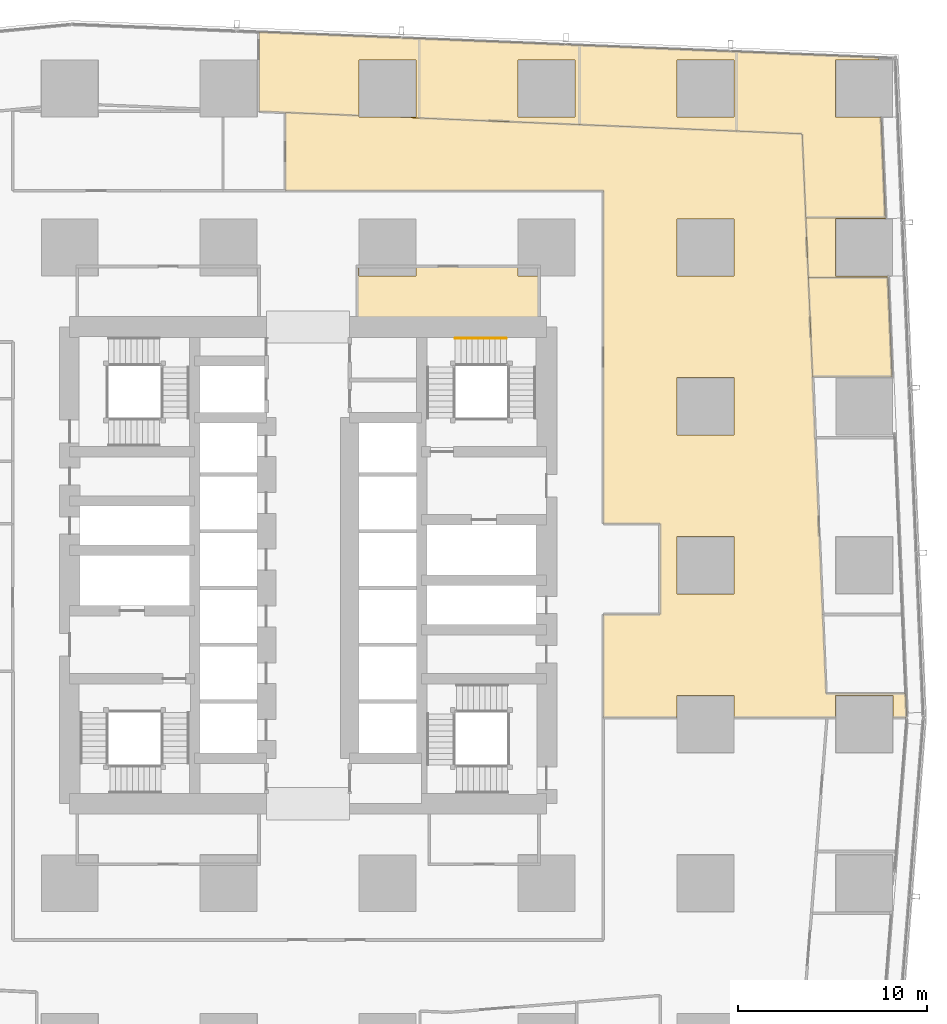
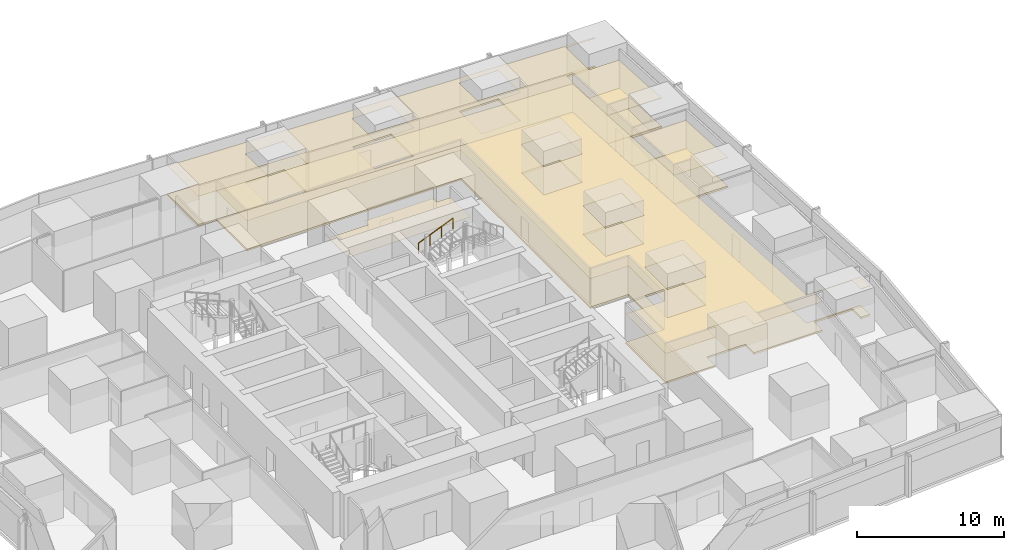
# One storey, part 44 of 44: 9 coverings, 1 railing.
"""IFC4 building model written with IfcOpenShell, lengths in metres."""

from ifc_helpers import new_model, si_unit, direction, frame, origin, origin_2d, place, context, subcontext, project, spatial, polyline, circle, outline, extrude, material, layer, layer_set, type_object, element, save


model = new_model("IFC4")

# Units and contexts
model_context = context("Model", 3, precision=1e-05, world=origin(), true_north=direction((0.0, 1.0)))
body_context = subcontext(model_context, "Body", "Model", "MODEL_VIEW")
ifc_project = project(units=[si_unit("LENGTHUNIT", "METRE"), si_unit("AREAUNIT", "SQUARE_METRE"), si_unit("VOLUMEUNIT", "CUBIC_METRE"), si_unit("PLANEANGLEUNIT", "RADIAN"), si_unit("MASSUNIT", "GRAM", prefix="KILO")], contexts=[model_context])

# Site, building, storey
site_placement = place(None, origin())
site = spatial("IfcSite", under=ifc_project, at=site_placement, CompositionType="ELEMENT")
building_placement = place(site_placement, origin())
building = spatial("IfcBuilding", under=site, at=building_placement, Name="Rekha Terrace Tower", CompositionType="ELEMENT")
storey_placement = place(building_placement, frame((0.0, 0.0, 81.64990234375)))
storey = spatial("IfcBuildingStorey", under=building, at=storey_placement, Name="L20", CompositionType="ELEMENT", Elevation=81.64990234375)

# Coverings
ifc_material_1 = material(Name="Mineral fibre tile in exposed grid", Category="finish")
ifc_layer_1 = layer(ifc_material_1, 0.02001953125)
ifc_layer_set_1 = layer_set([ifc_layer_1], Name="Mineral fibre tile in exposed grid")
covering_type_1 = type_object("IfcCoveringType", Name="CL1 600x1200 office grid ceiling", PredefinedType="CEILING", material=ifc_layer_set_1)
covering_1_placement = place(storey_placement, frame((0.0, 0.0, 2.47998046875)))
element("IfcCovering", 1, at=covering_1_placement, inside=storey, type_object=covering_type_1, Name="Ceiling L20-04", PredefinedType="CEILING", context=body_context, shape_type="SweptSolid", body=[
    extrude(outline(polyline([(68.443115234375, 48.802978515625), (64.239013671875, 48.802978515625), (64.464111328125, 43.556884765625), (68.6669921875, 43.556884765625), (68.443115234375, 48.802978515625)])), origin(), (0.0, 0.0, 1.0), 0.02001953125),
])
covering_2_placement = place(storey_placement, frame((0.0, 0.0, 2.47998046875)))
element("IfcCovering", 2, at=covering_2_placement, inside=storey, type_object=covering_type_1, Name="Ceiling L20-05", PredefinedType="CEILING", context=body_context, shape_type="SweptSolid", body=[
    extrude(outline(polyline([(68.30908203125, 51.9560546875), (64.10498046875, 51.9560546875), (64.239013671875, 48.803955078125), (68.443115234375, 48.803955078125), (68.43994140625, 48.885009765625), (65.68505859375, 48.885009765625), (65.68505859375, 51.9150390625), (68.31103515625, 51.9150390625), (68.30908203125, 51.9560546875)])), origin(), (0.0, 0.0, 1.0), 0.02001953125),
])
covering_3_placement = place(storey_placement, frame((0.0, 0.0, 2.47998046875)))
element("IfcCovering", 3, at=covering_3_placement, inside=storey, type_object=covering_type_1, Name="Ceiling L20-06", PredefinedType="CEILING", context=body_context, shape_type="SweptSolid", body=[
    extrude(outline(polyline([(52.14306640625, 61.093994140625), (43.6708984375, 61.444091796875), (35.199951171875, 61.79296875), (35.199951171875, 57.589111328125), (40.485107421875, 57.37109375), (40.485107421875, 60.31494140625), (43.514892578125, 60.31494140625), (43.514892578125, 57.284912109375), (43.235107421875, 57.284912109375), (43.235107421875, 57.258056640625), (43.674072265625, 57.239990234375), (52.14599609375, 56.89111328125), (60.43896484375, 56.549072265625), (63.9150390625, 56.406005859375), (64.10498046875, 51.95703125), (68.30908203125, 51.95703125), (68.0810546875, 57.284912109375), (65.68505859375, 57.284912109375), (65.68505859375, 60.31494140625), (67.950927734375, 60.31494140625), (67.946044921875, 60.443115234375), (60.43896484375, 60.751953125), (52.14306640625, 61.093994140625)]), holes=[polyline([(60.31494140625, 57.284912109375), (57.284912109375, 57.284912109375), (57.284912109375, 60.31494140625), (60.31494140625, 60.31494140625), (60.31494140625, 57.284912109375)]), polyline([(51.9150390625, 57.284912109375), (48.885009765625, 57.284912109375), (48.885009765625, 60.31494140625), (51.9150390625, 60.31494140625), (51.9150390625, 57.284912109375)])]), origin(), (0.0, 0.0, 1.0), 0.02001953125),
])
covering_4_placement = place(storey_placement, frame((0.0, 0.0, 2.47998046875)))
element("IfcCovering", 4, at=covering_4_placement, inside=storey, type_object=covering_type_1, Name="Ceiling L20-O1", PredefinedType="CEILING", context=body_context, shape_type="SweptSolid", body=[
    extrude(outline(polyline([(52.14404296875, 56.89111328125), (43.672119140625, 57.239990234375), (42.58203125, 57.284912109375), (40.485107421875, 57.284912109375), (40.485107421875, 57.3720703125), (36.60009765625, 57.531982421875), (36.60009765625, 53.39990234375), (53.39990234375, 53.39990234375), (53.39990234375, 35.800048828125), (56.39990234375, 35.800048828125), (56.39990234375, 31.0), (53.39990234375, 31.0), (53.39990234375, 25.552001953125), (57.284912109375, 25.552001953125), (57.284912109375, 26.715087890625), (60.31494140625, 26.715087890625), (60.31494140625, 25.552001953125), (65.68505859375, 25.552001953125), (65.68505859375, 26.715087890625), (68.715087890625, 26.715087890625), (68.715087890625, 25.552001953125), (69.43701171875, 25.552001953125), (69.382080078125, 26.821044921875), (65.178955078125, 26.821044921875), (64.9990234375, 31.01708984375), (64.60009765625, 40.35205078125), (64.462890625, 43.572021484375), (64.238037109375, 48.819091796875), (64.10400390625, 51.971923828125), (63.9150390625, 56.406005859375), (60.43701171875, 56.549072265625), (52.14404296875, 56.89111328125)]), holes=[polyline([(60.31494140625, 32.0849609375), (57.284912109375, 32.0849609375), (57.284912109375, 35.114990234375), (60.31494140625, 35.114990234375), (60.31494140625, 32.0849609375)]), polyline([(60.31494140625, 40.485107421875), (57.284912109375, 40.485107421875), (57.284912109375, 43.514892578125), (60.31494140625, 43.514892578125), (60.31494140625, 40.485107421875)]), polyline([(60.31494140625, 48.885009765625), (57.284912109375, 48.885009765625), (57.284912109375, 51.9150390625), (60.31494140625, 51.9150390625), (60.31494140625, 48.885009765625)])]), origin(), (0.0, 0.0, 1.0), 0.02001953125),
])
ifc_material_2 = material(Name="Fibre cement board", Category="finish")
ifc_layer_2 = layer(ifc_material_2, 0.014892578125)
ifc_layer_set_2 = layer_set([ifc_layer_2], Name="Fibre cement board")
covering_type_2 = type_object("IfcCoveringType", Name="CL2 moisture-resistant board ceiling", PredefinedType="CEILING", material=ifc_layer_set_2)
covering_5_placement = place(storey_placement, frame((0.0, 0.0, 2.485107421875)))
element("IfcCovering", 5, at=covering_5_placement, inside=storey, type_object=covering_type_2, Name="Ceiling L20-WCF", PredefinedType="CEILING", context=body_context, shape_type="SweptSolid", body=[
    extrude(outline(polyline([(40.485107421875, 49.39990234375), (40.39990234375, 49.39990234375), (40.39990234375, 46.199951171875), (50.0, 46.199951171875), (50.0, 48.885009765625), (48.885009765625, 48.885009765625), (48.885009765625, 49.39990234375), (43.514892578125, 49.39990234375), (43.514892578125, 48.885009765625), (40.485107421875, 48.885009765625), (40.485107421875, 49.39990234375)])), origin(), (0.0, 0.0, 1.0), 0.014892578125),
])

# Railing
ifc_material_3 = material(Name="Stainless steel tube", Category="steel")
railing_type = type_object("IfcRailingType", Name="HR1 900 stair handrail", PredefinedType="HANDRAIL", material=ifc_material_3)
railing_placement = place(storey_placement, frame((45.574951171875, 45.590087890625, 1.375)))
element("IfcRailing", 6, at=railing_placement, inside=storey, type_object=railing_type, Name="Handrail ST2 L20 flight 2", PredefinedType="HANDRAIL", context=body_context, shape_type="SweptSolid", body=[
    extrude(circle(Radius=0.02392578125, at=origin_2d()), frame((0.0, 0.0, 0.8759765625), z_axis=(0.923074453586, 0.0, 0.384621311341), x_axis=(0.0, 1.0, 0.0)), (0.0, 0.0, 1.0), 2.925048828125),
    extrude(circle(Radius=0.02099609375, at=origin_2d()), origin(), (0.0, 0.0, 1.0), 0.851806640625),
    extrude(circle(Radius=0.02099609375, at=origin_2d()), frame((0.89990234375, 0.0, 0.375)), (0.0, 0.0, 1.0), 0.851806640625),
    extrude(circle(Radius=0.02099609375, at=origin_2d()), frame((1.800048828125, 0.0, 0.75)), (0.0, 0.0, 1.0), 0.851806640625),
    extrude(circle(Radius=0.02099609375, at=origin_2d()), frame((2.699951171875, 0.0, 1.125)), (0.0, 0.0, 1.0), 0.851806640625),
])

# Coverings
ifc_material_4 = material(Name="Calcium sulphate panels on steel pedestals", Category="steel")
ifc_layer_3 = layer(ifc_material_4, 0.14990234375)
ifc_layer_set_3 = layer_set([ifc_layer_3], Name="Calcium sulphate panels on steel pedestals")
covering_type_3 = type_object("IfcCoveringType", Name="RF1 150 raised access floor", PredefinedType="FLOORING", material=ifc_layer_set_3)
covering_6_placement = place(storey_placement, origin())
element("IfcCovering", 7, at=covering_6_placement, inside=storey, type_object=covering_type_3, Name="Raised floor L20-04", PredefinedType="FLOORING", context=body_context, shape_type="SweptSolid", body=[
    extrude(outline(polyline([(68.443115234375, 48.802978515625), (64.239013671875, 48.802978515625), (64.464111328125, 43.556884765625), (68.6669921875, 43.556884765625), (68.443115234375, 48.802978515625)])), origin(), (0.0, 0.0, 1.0), 0.150146484375),
])
covering_7_placement = place(storey_placement, origin())
element("IfcCovering", 8, at=covering_7_placement, inside=storey, type_object=covering_type_3, Name="Raised floor L20-05", PredefinedType="FLOORING", context=body_context, shape_type="SweptSolid", body=[
    extrude(outline(polyline([(68.30908203125, 51.9560546875), (64.10498046875, 51.9560546875), (64.239013671875, 48.803955078125), (68.443115234375, 48.803955078125), (68.43994140625, 48.885009765625), (65.68505859375, 48.885009765625), (65.68505859375, 51.9150390625), (68.31103515625, 51.9150390625), (68.30908203125, 51.9560546875)])), origin(), (0.0, 0.0, 1.0), 0.150146484375),
])
covering_8_placement = place(storey_placement, origin())
element("IfcCovering", 9, at=covering_8_placement, inside=storey, type_object=covering_type_3, Name="Raised floor L20-06", PredefinedType="FLOORING", context=body_context, shape_type="SweptSolid", body=[
    extrude(outline(polyline([(52.14306640625, 61.093994140625), (43.6708984375, 61.444091796875), (35.199951171875, 61.79296875), (35.199951171875, 57.589111328125), (40.485107421875, 57.37109375), (40.485107421875, 60.31494140625), (43.514892578125, 60.31494140625), (43.514892578125, 57.284912109375), (43.235107421875, 57.284912109375), (43.235107421875, 57.258056640625), (43.674072265625, 57.239990234375), (52.14599609375, 56.89111328125), (60.43896484375, 56.549072265625), (63.9150390625, 56.406005859375), (64.10498046875, 51.95703125), (68.30908203125, 51.95703125), (68.0810546875, 57.284912109375), (65.68505859375, 57.284912109375), (65.68505859375, 60.31494140625), (67.950927734375, 60.31494140625), (67.946044921875, 60.443115234375), (60.43896484375, 60.751953125), (52.14306640625, 61.093994140625)]), holes=[polyline([(60.31494140625, 57.284912109375), (57.284912109375, 57.284912109375), (57.284912109375, 60.31494140625), (60.31494140625, 60.31494140625), (60.31494140625, 57.284912109375)]), polyline([(51.9150390625, 57.284912109375), (48.885009765625, 57.284912109375), (48.885009765625, 60.31494140625), (51.9150390625, 60.31494140625), (51.9150390625, 57.284912109375)])]), origin(), (0.0, 0.0, 1.0), 0.150146484375),
])
covering_9_placement = place(storey_placement, origin())
element("IfcCovering", 10, at=covering_9_placement, inside=storey, type_object=covering_type_3, Name="Raised floor L20-O1", PredefinedType="FLOORING", context=body_context, shape_type="SweptSolid", body=[
    extrude(outline(polyline([(52.14404296875, 56.89111328125), (43.672119140625, 57.239990234375), (42.58203125, 57.284912109375), (40.485107421875, 57.284912109375), (40.485107421875, 57.3720703125), (36.60009765625, 57.531982421875), (36.60009765625, 53.39990234375), (53.39990234375, 53.39990234375), (53.39990234375, 35.800048828125), (56.39990234375, 35.800048828125), (56.39990234375, 31.0), (53.39990234375, 31.0), (53.39990234375, 25.552001953125), (57.284912109375, 25.552001953125), (57.284912109375, 26.715087890625), (60.31494140625, 26.715087890625), (60.31494140625, 25.552001953125), (65.68505859375, 25.552001953125), (65.68505859375, 26.715087890625), (68.715087890625, 26.715087890625), (68.715087890625, 25.552001953125), (69.43701171875, 25.552001953125), (69.382080078125, 26.821044921875), (65.178955078125, 26.821044921875), (64.9990234375, 31.01708984375), (64.60009765625, 40.35205078125), (64.462890625, 43.572021484375), (64.238037109375, 48.819091796875), (64.10400390625, 51.971923828125), (63.9150390625, 56.406005859375), (60.43701171875, 56.549072265625), (52.14404296875, 56.89111328125)]), holes=[polyline([(60.31494140625, 32.0849609375), (57.284912109375, 32.0849609375), (57.284912109375, 35.114990234375), (60.31494140625, 35.114990234375), (60.31494140625, 32.0849609375)]), polyline([(60.31494140625, 40.485107421875), (57.284912109375, 40.485107421875), (57.284912109375, 43.514892578125), (60.31494140625, 43.514892578125), (60.31494140625, 40.485107421875)]), polyline([(60.31494140625, 48.885009765625), (57.284912109375, 48.885009765625), (57.284912109375, 51.9150390625), (60.31494140625, 51.9150390625), (60.31494140625, 48.885009765625)])]), origin(), (0.0, 0.0, 1.0), 0.150146484375),
])

save(model, "model.ifc")
